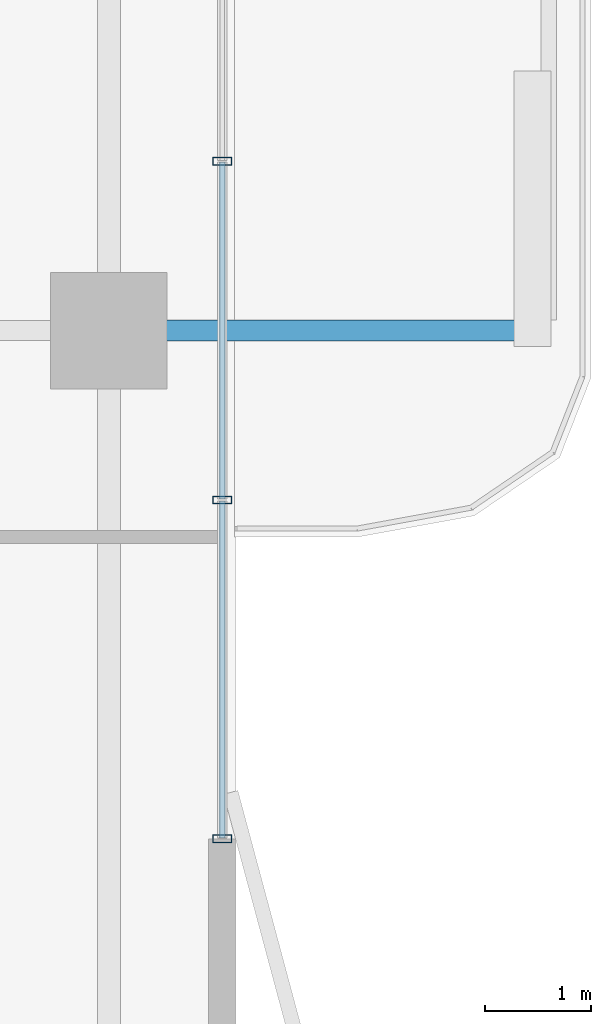
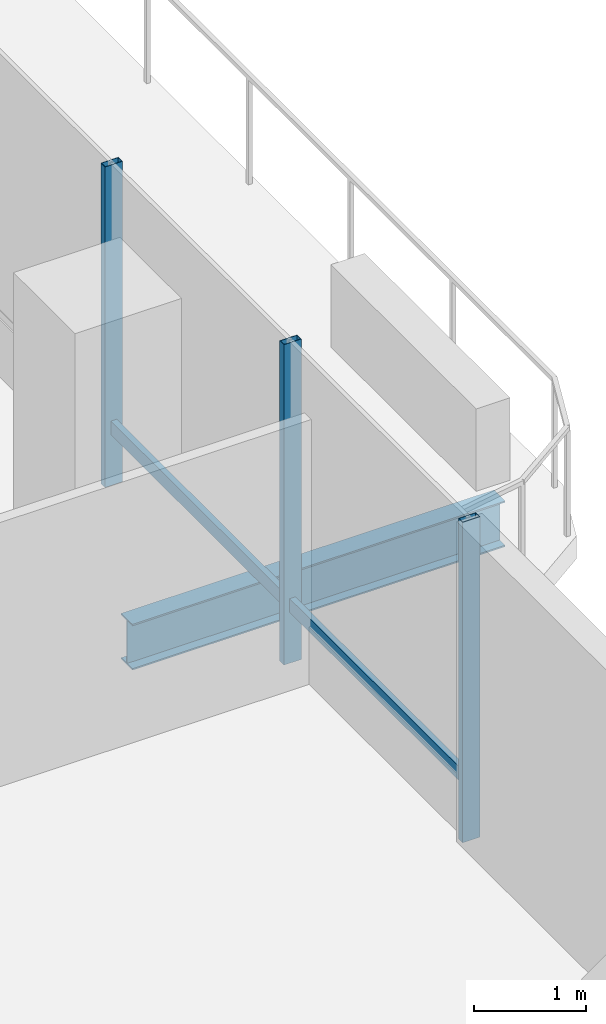
# One storey, part 8 of 24: 5 members, 1 beam, 1 element without a shape of its own.
"""IFC4 building model written with IfcOpenShell, lengths in metres."""

from ifc_helpers import new_model, si_unit, direction, frame, origin, origin_2d, place, context, subcontext, project, spatial, hollow_rectangle, i_section, extrude, material, layer, layer_set, material_profile, profile_set, type_object, element, aggregate, save


model = new_model("IFC4")

# Units and contexts
model_context = context("Model", 3, precision=1e-05, world=origin(), true_north=direction((0.0, 1.0)))
body_context = subcontext(model_context, "Body", "Model", "MODEL_VIEW")
ifc_project = project(units=[si_unit("LENGTHUNIT", "METRE"), si_unit("AREAUNIT", "SQUARE_METRE"), si_unit("VOLUMEUNIT", "CUBIC_METRE"), si_unit("PLANEANGLEUNIT", "RADIAN"), si_unit("MASSUNIT", "GRAM", prefix="KILO")], contexts=[model_context])

# Site, building, storey
site_placement = place(None, origin())
site = spatial("IfcSite", under=ifc_project, at=site_placement, CompositionType="ELEMENT")
building_placement = place(site_placement, origin())
building = spatial("IfcBuilding", under=site, at=building_placement, Name="Belovzor Exchange Tower", CompositionType="ELEMENT")
storey_placement = place(building_placement, frame((0.0, 0.0, 222.449951171875)))
storey = spatial("IfcBuildingStorey", under=building, at=storey_placement, Name="L55", CompositionType="ELEMENT", Elevation=222.449951171875)

# Beam
ifc_material_1 = material(Name="Steel S355", Category="steel")
ifc_material_profile_1 = material_profile(ifc_material_1, i_section(OverallWidth=0.199951171875, OverallDepth=0.5, WebThickness=0.01025390625, FlangeThickness=0.01611328125, at=origin_2d()))
ifc_profile_set_1 = profile_set([ifc_material_profile_1], Name="Steel S355")
beam_type = type_object("IfcBeamType", Name="Planted Balcony Cantilever Beam IPE 500", PredefinedType="BEAM", material=ifc_profile_set_1)
beam_placement = place(storey_placement, frame((54.903076171875, 28.800048828125, -0.5), z_axis=(1.0, 0.0, 0.0), x_axis=(0.0, 1.0, 0.0)))
element("IfcBeam", 1, at=beam_placement, inside=storey, type_object=beam_type, Name="BC-500 Planted Balcony Cantilever Beam IPE 500", PredefinedType="BEAM", context=body_context, shape_type="SweptSolid", body=[
    extrude(i_section(OverallWidth=0.199951171875, OverallDepth=0.5, WebThickness=0.01025390625, FlangeThickness=0.01611328125, at=origin_2d()), origin(), (0.0, 0.0, 1.0), 3.849853515625),
])

# Curtain wall, members
ifc_material_2 = material(Name="Anodised Aluminium Framing", Category="aluminium")
ifc_layer = layer(ifc_material_2, 0.179931640625)
ifc_layer_set = layer_set([ifc_layer], Name="Anodised Aluminium Framing")
curtain_wall_type = type_object("IfcCurtainWallType", Name="Recessed Loggia Low-Iron Triple-Glazed Curtain Wall", PredefinedType="NOTDEFINED", material=ifc_layer_set)
curtain_wall_placement = place(storey_placement, origin())
curtain_wall = element("IfcCurtainWall", 2, at=curtain_wall_placement, inside=storey, type_object=curtain_wall_type, Name="CW3 Recessed Loggia Low-Iron Triple-Glazed Curtain Wall L55", PredefinedType="NOTDEFINED")
ifc_material_3 = material(Name="Steel S355", Category="steel")
ifc_material_profile_2 = material_profile(ifc_material_3, hollow_rectangle(XDim=0.074951171875, YDim=0.179931640625, WallThickness=0.0048828125, at=origin_2d()))
ifc_profile_set_2 = profile_set([ifc_material_profile_2], Name="Steel S355")
member_type_1 = type_object("IfcMemberType", Name="Thermally Broken Curtain Wall Mullion 180x75", PredefinedType="MULLION", material=ifc_profile_set_2)
member_1_placement = place(storey_placement, frame((55.669921875, 30.39990234375, 0.0), z_axis=(0.0, 0.0, 1.0), x_axis=(0.0, -1.0, 0.0)))
member_1 = element("IfcMember", 3, at=member_1_placement, type_object=member_type_1, Name="CW-M180 Curtain Wall Mullion 2", PredefinedType="MULLION", context=body_context, shape_type="SweptSolid", body=[
    extrude(hollow_rectangle(XDim=0.074951171875, YDim=0.179931640625, WallThickness=0.0048828125, at=origin_2d()), origin(), (0.0, 0.0, 1.0), 3.5),
])
member_2_placement = place(storey_placement, frame((55.669921875, 27.199951171875, 0.0), z_axis=(0.0, 0.0, 1.0), x_axis=(0.0, -1.0, 0.0)))
member_2 = element("IfcMember", 4, at=member_2_placement, type_object=member_type_1, Name="CW-M180 Curtain Wall Mullion 3", PredefinedType="MULLION", context=body_context, shape_type="SweptSolid", body=[
    extrude(hollow_rectangle(XDim=0.074951171875, YDim=0.179931640625, WallThickness=0.0048828125, at=origin_2d()), origin(), (0.0, 0.0, 1.0), 3.5),
])
member_3_placement = place(storey_placement, frame((55.669921875, 24.0, 0.0), z_axis=(0.0, 0.0, 1.0), x_axis=(0.0, -1.0, 0.0)))
member_3 = element("IfcMember", 5, at=member_3_placement, type_object=member_type_1, Name="CW-M180 Curtain Wall Mullion 4", PredefinedType="MULLION", context=body_context, shape_type="SweptSolid", body=[
    extrude(hollow_rectangle(XDim=0.074951171875, YDim=0.179931640625, WallThickness=0.0048828125, at=origin_2d()), origin(), (0.0, 0.0, 1.0), 3.5),
])
ifc_material_4 = material(Name="Steel S355", Category="steel")
ifc_material_profile_3 = material_profile(ifc_material_4, hollow_rectangle(XDim=0.06005859375, YDim=0.14990234375, WallThickness=0.00390625, at=origin_2d()))
ifc_profile_set_3 = profile_set([ifc_material_profile_3], Name="Steel S355")
member_type_2 = type_object("IfcMemberType", Name="Thermally Broken Curtain Wall Transom 150x60", PredefinedType="USERDEFINED", material=ifc_profile_set_3)
member_4_placement = place(storey_placement, frame((55.669921875, 30.39208984375, 0.630126953125), z_axis=(0.0, -1.0, 0.0), x_axis=(1.0, 0.0, 0.0)))
member_4 = element("IfcMember", 6, at=member_4_placement, type_object=member_type_2, Name="CW-T150 Curtain Wall Transom 2", ObjectType="TRANSOM", PredefinedType="USERDEFINED", context=body_context, shape_type="SweptSolid", body=[
    extrude(hollow_rectangle(XDim=0.06005859375, YDim=0.14990234375, WallThickness=0.00390625, at=origin_2d()), origin(), (0.0, 0.0, 1.0), 3.18408203125),
])
member_5_placement = place(storey_placement, frame((55.669921875, 27.19189453125, 0.630126953125), z_axis=(0.0, -1.0, 0.0), x_axis=(1.0, 0.0, 0.0)))
member_5 = element("IfcMember", 7, at=member_5_placement, type_object=member_type_2, Name="CW-T150 Curtain Wall Transom 3", ObjectType="TRANSOM", PredefinedType="USERDEFINED", context=body_context, shape_type="SweptSolid", body=[
    extrude(hollow_rectangle(XDim=0.06005859375, YDim=0.14990234375, WallThickness=0.00390625, at=origin_2d()), origin(), (0.0, 0.0, 1.0), 3.183837890625),
])
aggregate(curtain_wall, [member_1, member_2, member_3, member_4, member_5])

save(model, "model.ifc")
